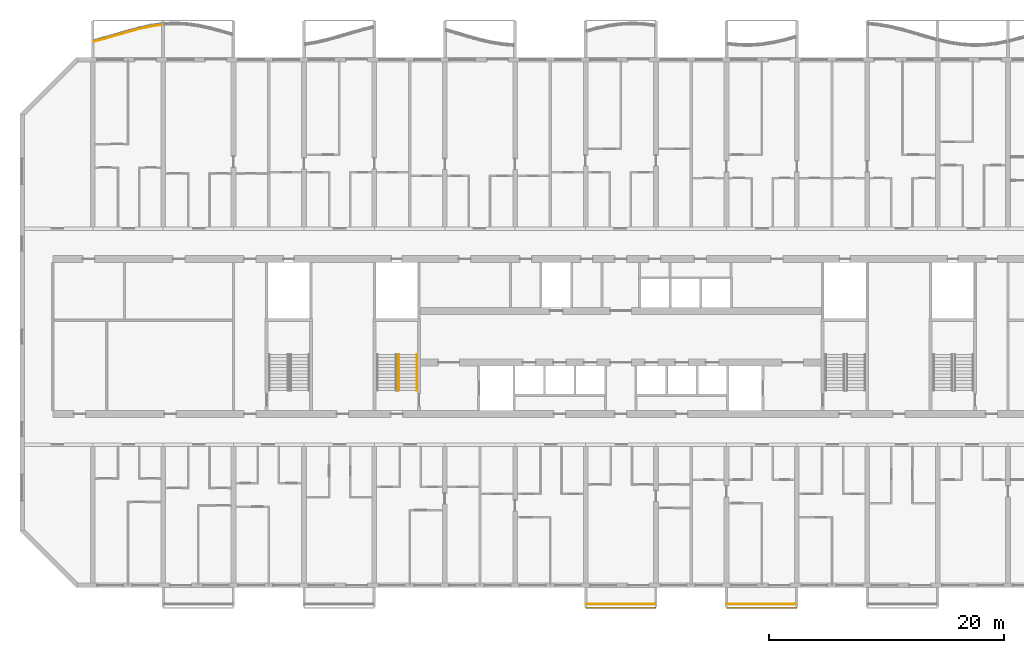
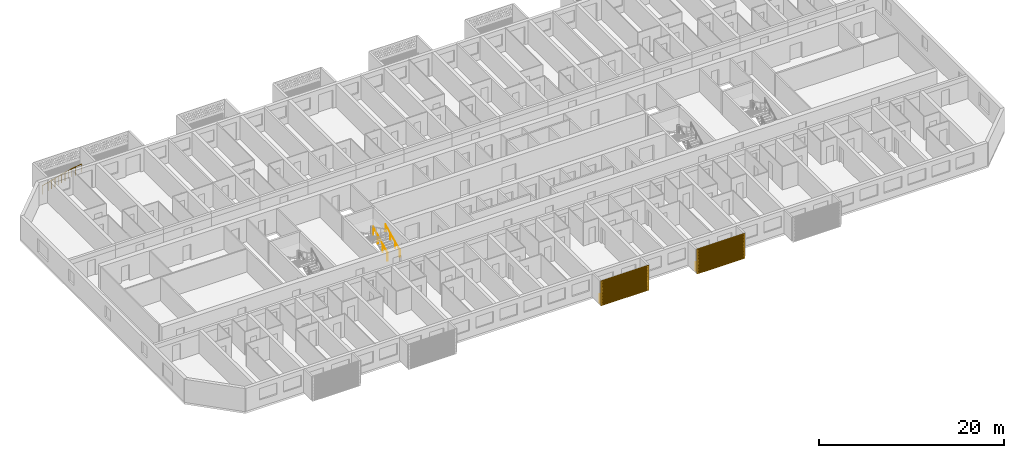
# One storey, part 20 of 40: 5 railings, 2 shading devices.
"""IFC4 building model written with IfcOpenShell, lengths in metres."""

import ifcopenshell
import ifcopenshell.guid

model = None  # the IFC model being written
_history = None  # IfcOwnerHistory: only IFC2X3 demands one
_inside = {}  # id of a spatial element -> (the spatial element, [elements in it])
_under = {}  # id of a project, library or spatial element -> (it, [spatial elements below it])
_declared = {}  # id of a project -> (the project, [libraries it declares])
_typed = {}  # id of a type object -> (the type object, [elements of that type])
_made_of = {}  # id of a material, layer set ... -> (it, [elements and type objects made of it])


def new_model(schema):
    """Start an empty IFC model of exactly this schema.

    Asked for "IFC4X3", IfcOpenShell would pick the latest addendum, in which some entities
    have other attributes; the version numbers below select the first issue.
    IFC2X3 requires an IfcOwnerHistory on every rooted entity: one is made here for all.
    """
    global model, _history
    if schema == "IFC4X3":
        model = ifcopenshell.file(schema_version=(4, 3, 0, 0))
    else:
        model = ifcopenshell.file(schema=schema)
    _inside.clear()
    _under.clear()
    _declared.clear()
    _typed.clear()
    _made_of.clear()
    _history = None
    if model.schema == "IFC2X3":
        org = make("IfcOrganization", Name="unknown")
        user = make(
            "IfcPersonAndOrganization",
            ThePerson=make("IfcPerson", FamilyName="unknown"),
            TheOrganization=org,
        )
        app = make(
            "IfcApplication",
            ApplicationDeveloper=org,
            Version="unknown",
            ApplicationFullName="unknown",
            ApplicationIdentifier="unknown",
        )
        _history = make(
            "IfcOwnerHistory",
            OwningUser=user,
            OwningApplication=app,
            ChangeAction="ADDED",
            CreationDate=0,
        )
    return model


def make(cls, **values):
    """One entity of the class cls with the attributes given. An attribute that is None is left unset."""
    return model.create_entity(
        cls, **{name: value for name, value in values.items() if value is not None}
    )


def rooted(cls, **values):
    """An entity with a GlobalId (a new one), such as an element, a storey or a relation."""
    return make(cls, GlobalId=ifcopenshell.guid.new(), OwnerHistory=_history, **values)


def si_unit(unit_type, name, prefix=None):
    """IfcSIUnit, for example si_unit("LENGTHUNIT", "METRE", prefix="MILLI")."""
    return make("IfcSIUnit", UnitType=unit_type, Prefix=prefix, Name=name)


def assignment(units):
    """IfcUnitAssignment: the units of a project."""
    return None if units is None else make("IfcUnitAssignment", Units=units)


def point(xyz):
    """IfcCartesianPoint."""
    return None if xyz is None else make("IfcCartesianPoint", Coordinates=xyz)


def direction(xyz):
    """IfcDirection."""
    return None if xyz is None else make("IfcDirection", DirectionRatios=xyz)


def frame(location, z_axis=None, x_axis=None):
    """IfcAxis2Placement3D, a coordinate frame: its origin and axes. An axis left out is left unset."""
    return make(
        "IfcAxis2Placement3D",
        Location=point(location),
        Axis=direction(z_axis),
        RefDirection=direction(x_axis),
    )


def frame_2d(location, x_axis=None):
    """IfcAxis2Placement2D, a coordinate frame in the plane: its origin and x axis."""
    return make(
        "IfcAxis2Placement2D", Location=point(location), RefDirection=direction(x_axis)
    )


def origin():
    """The frame at (0, 0, 0) with its axes left unset."""
    return frame((0.0, 0.0, 0.0))


def origin_2d():
    """The frame at (0, 0) in the plane with its x axis left unset."""
    return frame_2d((0.0, 0.0))


def place(relative_to, where):
    """IfcLocalPlacement: puts the frame where relative to a parent placement (None: the world)."""
    return make(
        "IfcLocalPlacement", PlacementRelTo=relative_to, RelativePlacement=where
    )


def context(
    kind, dimensions, precision=None, world=None, true_north=None, identifier=None
):
    """IfcGeometricRepresentationContext, for example the 3D "Model" context."""
    return make(
        "IfcGeometricRepresentationContext",
        ContextIdentifier=identifier,
        ContextType=kind,
        CoordinateSpaceDimension=dimensions,
        Precision=precision,
        WorldCoordinateSystem=world,
        TrueNorth=true_north,
    )


def subcontext(parent, identifier, kind, view, scale=None):
    """IfcGeometricRepresentationSubContext, for example "Body" below "Model"."""
    return make(
        "IfcGeometricRepresentationSubContext",
        ContextIdentifier=identifier,
        ContextType=kind,
        ParentContext=parent,
        TargetScale=scale,
        TargetView=view,
    )


def project(units=None, contexts=None):
    """IfcProject with its units and contexts."""
    return rooted(
        "IfcProject",
        Name="project",
        RepresentationContexts=contexts,
        UnitsInContext=assignment(units),
    )


def spatial(cls, under=None, at=None, **own):
    """A site, building, storey or space (cls), placed at a placement, below another one or the project."""
    s = rooted(cls, ObjectPlacement=at, **own)
    if under is not None:
        _under.setdefault(under.id(), (under, []))[1].append(s)
    return s


def polyline(points):
    """IfcPolyline through the points."""
    return make("IfcPolyline", Points=[point(p) for p in points])


def profile(cls, at=None, kind="AREA", **sizes):
    """A parametric profile (cls). Its sizes go by their IFC names, for example OverallWidth=200.0."""
    return make(cls, ProfileType=kind, Position=at, **sizes)


def circle(**sizes):
    """IfcCircleProfileDef."""
    return profile("IfcCircleProfileDef", **sizes)


def outline(outer, holes=None, kind="AREA"):
    """IfcArbitraryClosedProfileDef: a profile drawn as a closed curve; with holes, ...WithVoids."""
    if holes is None:
        return make("IfcArbitraryClosedProfileDef", ProfileType=kind, OuterCurve=outer)
    return make(
        "IfcArbitraryProfileDefWithVoids",
        ProfileType=kind,
        OuterCurve=outer,
        InnerCurves=holes,
    )


def extrude(swept, where, along, depth):
    """IfcExtrudedAreaSolid: the profile swept, set in the frame where, extruded along a direction by depth."""
    return make(
        "IfcExtrudedAreaSolid",
        SweptArea=swept,
        Position=where,
        ExtrudedDirection=direction(along),
        Depth=depth,
    )


def shape(context_of_items, identifier, shape_type, items):
    """IfcShapeRepresentation: the items that make up one representation, for example the "Body"."""
    return make(
        "IfcShapeRepresentation",
        ContextOfItems=context_of_items,
        RepresentationIdentifier=identifier,
        RepresentationType=shape_type,
        Items=items,
    )


def source(mapping_origin, context_of_items, identifier, shape_type, items):
    """IfcRepresentationMap: a shape defined once, which mapped items show again and again."""
    return make(
        "IfcRepresentationMap",
        MappingOrigin=mapping_origin,
        MappedRepresentation=shape(context_of_items, identifier, shape_type, items),
    )


def transform(
    local_origin,
    x_axis=None,
    y_axis=None,
    z_axis=None,
    scale=None,
    scale2=None,
    scale3=None,
    uniform=True,
):
    """IfcCartesianTransformationOperator3D, or its non-uniform kind. x_axis, y_axis, z_axis: its Axis1, 2, 3."""
    if uniform:
        return make(
            "IfcCartesianTransformationOperator3D",
            Axis1=direction(x_axis),
            Axis2=direction(y_axis),
            LocalOrigin=point(local_origin),
            Scale=scale,
            Axis3=direction(z_axis),
        )
    return make(
        "IfcCartesianTransformationOperator3DnonUniform",
        Axis1=direction(x_axis),
        Axis2=direction(y_axis),
        LocalOrigin=point(local_origin),
        Scale=scale,
        Axis3=direction(z_axis),
        Scale2=scale2,
        Scale3=scale3,
    )


def mapped(mapping_source, mapping_target):
    """IfcMappedItem: shows the shape of a source again, moved by a transform."""
    return make(
        "IfcMappedItem", MappingSource=mapping_source, MappingTarget=mapping_target
    )


def material(Name=None, Category=None):
    """IfcMaterial."""
    return make("IfcMaterial", Name=Name, Category=Category)


def material_profile(
    of_material, cross_section, Name=None, Category=None, Priority=None
):
    """IfcMaterialProfile: a cross section and its material."""
    return make(
        "IfcMaterialProfile",
        Name=Name,
        Material=of_material,
        Profile=cross_section,
        Priority=Priority,
        Category=Category,
    )


def profile_set(profiles, Name=None, composite=None):
    """IfcMaterialProfileSet."""
    return make(
        "IfcMaterialProfileSet",
        Name=Name,
        MaterialProfiles=profiles,
        CompositeProfile=composite,
    )


def made_of(thing, what):
    """Note that an element or type object is made of a material, layer set ...; save() writes the relation."""
    if what is not None:
        _made_of.setdefault(what.id(), (what, []))[1].append(thing)
    return thing


def type_object(cls, material=None, **own):
    """A type object (cls), such as IfcWallType, which elements share."""
    return made_of(rooted(cls, **own), material)


def element(
    cls,
    number,
    at=None,
    inside=None,
    cuts=None,
    type_object=None,
    material=None,
    context=None,
    identifier="Body",
    shape_type=None,
    held_by="IfcProductDefinitionShape",
    body=None,
    shapes=None,
    **own,
):
    """One element of the class cls, such as IfcWall. Its Tag is "e" and its number.

    at: its placement. inside: the storey or other place that contains it. cuts: it is an
    opening in that element (IfcRelVoidsElement). A single representation is given by context,
    identifier, shape_type and body (its items); several are given by shapes. held_by: the class
    of the entity that holds the representations. save() writes the other relations.
    """
    e = rooted(cls, Tag="e%d" % number, ObjectPlacement=at, **own)
    if body is not None:
        shapes = [shape(context, identifier, shape_type, body)]
    if shapes is not None:
        e.Representation = make(held_by, Representations=shapes)
    if inside is not None:
        _inside.setdefault(inside.id(), (inside, []))[1].append(e)
    if cuts is not None:
        rooted(
            "IfcRelVoidsElement", RelatingBuildingElement=cuts, RelatedOpeningElement=e
        )
    if type_object is not None:
        _typed.setdefault(type_object.id(), (type_object, []))[1].append(e)
    return made_of(e, material)


def aggregate(whole, parts):
    """IfcRelAggregates: a whole, such as a stair, and the parts it consists of."""
    return rooted("IfcRelAggregates", RelatingObject=whole, RelatedObjects=parts)


def save(model, path):
    """Write the relations noted so far, then the file.

    IfcRelAggregates (storeys below a building ...), IfcRelContainedInSpatialStructure (elements
    in a storey), IfcRelDefinesByType, IfcRelAssociatesMaterial and IfcRelDeclares: one each for
    every whole, place, type object, material and project.
    """
    for whole, parts in _under.values():
        aggregate(whole, parts)
    for where, things in _inside.values():
        rooted(
            "IfcRelContainedInSpatialStructure",
            RelatedElements=things,
            RelatingStructure=where,
        )
    for kind, things in _typed.values():
        rooted("IfcRelDefinesByType", RelatedObjects=things, RelatingType=kind)
    for what, things in _made_of.values():
        rooted("IfcRelAssociatesMaterial", RelatedObjects=things, RelatingMaterial=what)
    for by, libraries in _declared.values():
        rooted("IfcRelDeclares", RelatingContext=by, RelatedDefinitions=libraries)
    model.write(path)


model = new_model("IFC4")

# Units and contexts
model_context = context("Model", 3, precision=1e-05, world=origin(), true_north=direction((0.0, 1.0)))
body_context = subcontext(model_context, "Body", "Model", "MODEL_VIEW")
ifc_project = project(units=[si_unit("LENGTHUNIT", "METRE"), si_unit("AREAUNIT", "SQUARE_METRE"), si_unit("VOLUMEUNIT", "CUBIC_METRE"), si_unit("PLANEANGLEUNIT", "RADIAN"), si_unit("MASSUNIT", "GRAM", prefix="KILO")], contexts=[model_context])

# Site, building, storey
site_placement = place(None, origin())
site = spatial("IfcSite", under=ifc_project, at=site_placement, CompositionType="ELEMENT")
building_placement = place(site_placement, origin())
building = spatial("IfcBuilding", under=site, at=building_placement, Name="Poui Terraces", CompositionType="ELEMENT")
storey_placement = place(building_placement, frame((0.0, 0.0, 33.300048828125)))
storey = spatial("IfcBuildingStorey", under=building, at=storey_placement, Name="L08", CompositionType="ELEMENT", Elevation=33.300048828125)

# Railings
ifc_material_1 = material(Name="Painted steel fretwork", Category="steel")
railing_type_1 = type_object("IfcRailingType", Name="BALCONY GUARD 1100", PredefinedType="GUARDRAIL", material=ifc_material_1)
railing_1_placement = place(storey_placement, frame((6.125, 46.33935546875, 0.0)))
element("IfcRailing", 1, at=railing_1_placement, inside=storey, type_object=railing_type_1, Name="BALCONY GUARD", PredefinedType="GUARDRAIL", context=body_context, shape_type="SweptSolid", body=[
    extrude(circle(Radius=0.02392578125, at=origin_2d()), frame((0.0, 0.0, 1.076171875), z_axis=(0.967811983713, 0.251674321657, 0.0), x_axis=(-0.251674321657, 0.967811983713, 0.0)), (0.0, 0.0, 1.0), 0.904052734375),
    extrude(circle(Radius=0.02392578125, at=origin_2d()), frame((0.875, 0.2275390625, 1.076171875), z_axis=(0.960167856514, 0.279423848868, 0.0), x_axis=(-0.279423848868, 0.960167856514, 0.0)), (0.0, 0.0, 1.0), 1.04150390625),
    extrude(circle(Radius=0.02392578125, at=origin_2d()), frame((1.875, 0.5185546875, 1.076171875), z_axis=(0.959283416412, 0.282445263719, 0.0), x_axis=(-0.282445263719, 0.959283416412, 0.0)), (0.0, 0.0, 1.0), 1.04248046875),
    extrude(circle(Radius=0.02392578125, at=origin_2d()), frame((2.875, 0.81298828125, 1.076171875), z_axis=(0.965897516379, 0.258924676022, 0.0), x_axis=(-0.258924676022, 0.965897516379, 0.0)), (0.0, 0.0, 1.0), 1.035400390625),
    extrude(circle(Radius=0.02392578125, at=origin_2d()), frame((3.875, 1.0810546875, 1.076171875), z_axis=(0.977837336556, 0.20936605082, 0.0), x_axis=(-0.20936605082, 0.977837336556, 0.0)), (0.0, 0.0, 1.0), 1.022705078125),
    extrude(circle(Radius=0.02392578125, at=origin_2d()), frame((4.875, 1.295166015625, 1.076171875), z_axis=(0.9898720119, 0.14196267135, 0.0), x_axis=(-0.14196267135, 0.9898720119, 0.0)), (0.0, 0.0, 1.0), 0.884033203125),
    extrude(circle(Radius=0.02099609375, at=origin_2d()), origin(), (0.0, 0.0, 1.0), 1.052001953125),
    extrude(circle(Radius=0.02099609375, at=origin_2d()), frame((0.875, 0.2275390625, 0.0)), (0.0, 0.0, 1.0), 1.052001953125),
    extrude(circle(Radius=0.02099609375, at=origin_2d()), frame((1.375, 0.373046875, 0.0)), (0.0, 0.0, 1.0), 1.052001953125),
    extrude(circle(Radius=0.02099609375, at=origin_2d()), frame((1.875, 0.5185546875, 0.0)), (0.0, 0.0, 1.0), 1.052001953125),
    extrude(circle(Radius=0.02099609375, at=origin_2d()), frame((2.375, 0.665771484375, 0.0)), (0.0, 0.0, 1.0), 1.052001953125),
    extrude(circle(Radius=0.02099609375, at=origin_2d()), frame((2.875, 0.81298828125, 0.0)), (0.0, 0.0, 1.0), 1.052001953125),
    extrude(circle(Radius=0.02099609375, at=origin_2d()), frame((3.375, 0.947021484375, 0.0)), (0.0, 0.0, 1.0), 1.052001953125),
    extrude(circle(Radius=0.02099609375, at=origin_2d()), frame((3.875, 1.0810546875, 0.0)), (0.0, 0.0, 1.0), 1.052001953125),
    extrude(circle(Radius=0.02099609375, at=origin_2d()), frame((4.375, 1.18798828125, 0.0)), (0.0, 0.0, 1.0), 1.052001953125),
    extrude(circle(Radius=0.02099609375, at=origin_2d()), frame((4.875, 1.295166015625, 0.0)), (0.0, 0.0, 1.0), 1.052001953125),
    extrude(circle(Radius=0.02099609375, at=origin_2d()), frame((5.75, 1.420654296875, 0.0)), (0.0, 0.0, 1.0), 1.052001953125),
])
for number, where, name in (
    (2, (48.10009765625, -1.570068359375, 0.0), "BALCONY GUARD"),
    (3, (60.10009765625, -1.570068359375, 0.0), "BALCONY GUARD"),
):
    element("IfcRailing", number, at=place(storey_placement, frame(where)), inside=storey, type_object=railing_type_1, Name=name, PredefinedType="GUARDRAIL", context=body_context, shape_type="SweptSolid", body=[
        extrude(circle(Radius=0.02392578125, at=origin_2d()), frame((0.0, 0.0, 1.076171875), z_axis=(1.0, 0.0, 0.0), x_axis=(0.0, 1.0, 0.0)), (0.0, 0.0, 1.0), 5.7998046875),
        extrude(circle(Radius=0.02099609375, at=origin_2d()), origin(), (0.0, 0.0, 1.0), 1.052001953125),
        extrude(circle(Radius=0.02099609375, at=origin_2d()), frame((0.966552734375, 0.0, 0.0)), (0.0, 0.0, 1.0), 1.052001953125),
        extrude(circle(Radius=0.02099609375, at=origin_2d()), frame((1.933349609375, 0.0, 0.0)), (0.0, 0.0, 1.0), 1.052001953125),
        extrude(circle(Radius=0.02099609375, at=origin_2d()), frame((2.89990234375, 0.0, 0.0)), (0.0, 0.0, 1.0), 1.052001953125),
        extrude(circle(Radius=0.02099609375, at=origin_2d()), frame((3.866455078125, 0.0, 0.0)), (0.0, 0.0, 1.0), 1.052001953125),
        extrude(circle(Radius=0.02099609375, at=origin_2d()), frame((4.833251953125, 0.0, 0.0)), (0.0, 0.0, 1.0), 1.052001953125),
        extrude(circle(Radius=0.02099609375, at=origin_2d()), frame((5.7998046875, 0.0, 0.0)), (0.0, 0.0, 1.0), 1.052001953125),
    ])
ifc_material_2 = material(Name="Galvanised steel balustrade", Category="steel")
railing_type_2 = type_object("IfcRailingType", Name="STAIR GUARD 1100", PredefinedType="GUARDRAIL", material=ifc_material_2)
railing_2_placement = place(storey_placement, frame((32.074951171875, 16.60009765625, 0.137451171875)))
element("IfcRailing", 4, at=railing_2_placement, inside=storey, type_object=railing_type_2, Name="L08 ST-CW stair guard 1", PredefinedType="GUARDRAIL", context=body_context, shape_type="SweptSolid", body=[
    extrude(circle(Radius=0.02392578125, at=origin_2d()), frame((0.0, 0.0, 1.076171875), z_axis=(0.0, 0.897606190399, 0.440798283751), x_axis=(-1.0, 0.0, 0.0)), (0.0, 0.0, 1.0), 3.43115234375),
    extrude(circle(Radius=0.02099609375, at=origin_2d()), origin(), (0.0, 0.0, 1.0), 1.052001953125),
    extrude(circle(Radius=0.02099609375, at=origin_2d()), frame((0.0, 1.026611328125, 0.504150390625)), (0.0, 0.0, 1.0), 1.052001953125),
    extrude(circle(Radius=0.02099609375, at=origin_2d()), frame((0.0, 2.05322265625, 1.00830078125)), (0.0, 0.0, 1.0), 1.052001953125),
    extrude(circle(Radius=0.02099609375, at=origin_2d()), frame((0.0, 3.079833984375, 1.512451171875)), (0.0, 0.0, 1.0), 1.052001953125),
])
ifc_material_3 = material(Name="Stainless steel handrail", Category="steel")
railing_type_3 = type_object("IfcRailingType", Name="STAIR HANDRAIL 900", PredefinedType="HANDRAIL", material=ifc_material_3)
railing_3_placement = place(storey_placement, frame((33.625, 16.60009765625, 0.137451171875)))
element("IfcRailing", 5, at=railing_3_placement, inside=storey, type_object=railing_type_3, Name="L08 ST-CW stair handrail 1", PredefinedType="HANDRAIL", context=body_context, shape_type="SweptSolid", body=[
    extrude(circle(Radius=0.02392578125, at=origin_2d()), frame((0.0, 0.0, 0.8759765625), z_axis=(0.0, 0.897606190399, 0.440798283751), x_axis=(-1.0, 0.0, 0.0)), (0.0, 0.0, 1.0), 3.43115234375),
    extrude(circle(Radius=0.02099609375, at=origin_2d()), origin(), (0.0, 0.0, 1.0), 0.851806640625),
    extrude(circle(Radius=0.02099609375, at=origin_2d()), frame((0.0, 1.026611328125, 0.504150390625)), (0.0, 0.0, 1.0), 0.851806640625),
    extrude(circle(Radius=0.02099609375, at=origin_2d()), frame((0.0, 2.05322265625, 1.00830078125)), (0.0, 0.0, 1.0), 0.851806640625),
    extrude(circle(Radius=0.02099609375, at=origin_2d()), frame((0.0, 3.079833984375, 1.512451171875)), (0.0, 0.0, 1.0), 0.851806640625),
])

# Shading devices
ifc_material_4 = material(Name="Aluminium louvre", Category="aluminium")
ifc_material_profile = material_profile(ifc_material_4, outline(polyline([(-3.0, -1.64990234375), (3.0, -1.64990234375), (3.0, 1.64990234375), (-3.0, 1.64990234375), (-3.0, -1.64990234375)]), holes=[polyline([(-2.800048828125, -1.530029296875), (2.800048828125, -1.530029296875), (2.800048828125, -1.469970703125), (-2.800048828125, -1.469970703125), (-2.800048828125, -1.530029296875)]), polyline([(-2.800048828125, -1.429931640625), (2.800048828125, -1.429931640625), (2.800048828125, -1.3701171875), (-2.800048828125, -1.3701171875), (-2.800048828125, -1.429931640625)]), polyline([(-2.800048828125, -1.330078125), (2.800048828125, -1.330078125), (2.800048828125, -1.27001953125), (-2.800048828125, -1.27001953125), (-2.800048828125, -1.330078125)]), polyline([(-2.800048828125, -1.22998046875), (2.800048828125, -1.22998046875), (2.800048828125, -1.169921875), (-2.800048828125, -1.169921875), (-2.800048828125, -1.22998046875)]), polyline([(-2.800048828125, -1.1298828125), (2.800048828125, -1.1298828125), (2.800048828125, -1.070068359375), (-2.800048828125, -1.070068359375), (-2.800048828125, -1.1298828125)]), polyline([(-2.800048828125, -1.030029296875), (2.800048828125, -1.030029296875), (2.800048828125, -0.969970703125), (-2.800048828125, -0.969970703125), (-2.800048828125, -1.030029296875)]), polyline([(-2.800048828125, -0.929931640625), (2.800048828125, -0.929931640625), (2.800048828125, -0.8701171875), (-2.800048828125, -0.8701171875), (-2.800048828125, -0.929931640625)]), polyline([(-2.800048828125, -0.830078125), (2.800048828125, -0.830078125), (2.800048828125, -0.77001953125), (-2.800048828125, -0.77001953125), (-2.800048828125, -0.830078125)]), polyline([(-2.800048828125, -0.72998046875), (2.800048828125, -0.72998046875), (2.800048828125, -0.669921875), (-2.800048828125, -0.669921875), (-2.800048828125, -0.72998046875)]), polyline([(-2.800048828125, -0.6298828125), (2.800048828125, -0.6298828125), (2.800048828125, -0.570068359375), (-2.800048828125, -0.570068359375), (-2.800048828125, -0.6298828125)]), polyline([(-2.800048828125, -0.530029296875), (2.800048828125, -0.530029296875), (2.800048828125, -0.469970703125), (-2.800048828125, -0.469970703125), (-2.800048828125, -0.530029296875)]), polyline([(-2.800048828125, -0.429931640625), (2.800048828125, -0.429931640625), (2.800048828125, -0.3701171875), (-2.800048828125, -0.3701171875), (-2.800048828125, -0.429931640625)]), polyline([(-2.800048828125, -0.330078125), (2.800048828125, -0.330078125), (2.800048828125, -0.27001953125), (-2.800048828125, -0.27001953125), (-2.800048828125, -0.330078125)]), polyline([(-2.800048828125, -0.22998046875), (2.800048828125, -0.22998046875), (2.800048828125, -0.169921875), (-2.800048828125, -0.169921875), (-2.800048828125, -0.22998046875)]), polyline([(-2.800048828125, -0.1298828125), (2.800048828125, -0.1298828125), (2.800048828125, -0.070068359375), (-2.800048828125, -0.070068359375), (-2.800048828125, -0.1298828125)]), polyline([(-2.800048828125, -0.030029296875), (2.800048828125, -0.030029296875), (2.800048828125, 0.030029296875), (-2.800048828125, 0.030029296875), (-2.800048828125, -0.030029296875)]), polyline([(-2.800048828125, 0.070068359375), (2.800048828125, 0.070068359375), (2.800048828125, 0.1298828125), (-2.800048828125, 0.1298828125), (-2.800048828125, 0.070068359375)]), polyline([(-2.800048828125, 0.169921875), (2.800048828125, 0.169921875), (2.800048828125, 0.22998046875), (-2.800048828125, 0.22998046875), (-2.800048828125, 0.169921875)]), polyline([(-2.800048828125, 0.27001953125), (2.800048828125, 0.27001953125), (2.800048828125, 0.330078125), (-2.800048828125, 0.330078125), (-2.800048828125, 0.27001953125)]), polyline([(-2.800048828125, 0.3701171875), (2.800048828125, 0.3701171875), (2.800048828125, 0.429931640625), (-2.800048828125, 0.429931640625), (-2.800048828125, 0.3701171875)]), polyline([(-2.800048828125, 0.469970703125), (2.800048828125, 0.469970703125), (2.800048828125, 0.530029296875), (-2.800048828125, 0.530029296875), (-2.800048828125, 0.469970703125)]), polyline([(-2.800048828125, 0.570068359375), (2.800048828125, 0.570068359375), (2.800048828125, 0.6298828125), (-2.800048828125, 0.6298828125), (-2.800048828125, 0.570068359375)]), polyline([(-2.800048828125, 0.669921875), (2.800048828125, 0.669921875), (2.800048828125, 0.72998046875), (-2.800048828125, 0.72998046875), (-2.800048828125, 0.669921875)]), polyline([(-2.800048828125, 0.77001953125), (2.800048828125, 0.77001953125), (2.800048828125, 0.830078125), (-2.800048828125, 0.830078125), (-2.800048828125, 0.77001953125)]), polyline([(-2.800048828125, 0.8701171875), (2.800048828125, 0.8701171875), (2.800048828125, 0.929931640625), (-2.800048828125, 0.929931640625), (-2.800048828125, 0.8701171875)]), polyline([(-2.800048828125, 0.969970703125), (2.800048828125, 0.969970703125), (2.800048828125, 1.030029296875), (-2.800048828125, 1.030029296875), (-2.800048828125, 0.969970703125)]), polyline([(-2.800048828125, 1.070068359375), (2.800048828125, 1.070068359375), (2.800048828125, 1.1298828125), (-2.800048828125, 1.1298828125), (-2.800048828125, 1.070068359375)]), polyline([(-2.800048828125, 1.169921875), (2.800048828125, 1.169921875), (2.800048828125, 1.22998046875), (-2.800048828125, 1.22998046875), (-2.800048828125, 1.169921875)]), polyline([(-2.800048828125, 1.27001953125), (2.800048828125, 1.27001953125), (2.800048828125, 1.330078125), (-2.800048828125, 1.330078125), (-2.800048828125, 1.27001953125)]), polyline([(-2.800048828125, 1.3701171875), (2.800048828125, 1.3701171875), (2.800048828125, 1.429931640625), (-2.800048828125, 1.429931640625), (-2.800048828125, 1.3701171875)]), polyline([(-2.800048828125, 1.469970703125), (2.800048828125, 1.469970703125), (2.800048828125, 1.530029296875), (-2.800048828125, 1.530029296875), (-2.800048828125, 1.469970703125)])]), Name="JALOUSIE LOUVRE SHUTTER 6000X3300")
ifc_profile_set = profile_set([ifc_material_profile], Name="Aluminium louvre")
shading_device_type = type_object("IfcShadingDeviceType", Name="JALOUSIE LOUVRE SHUTTER 6000X3300", PredefinedType="JALOUSIE", material=ifc_profile_set)
shared_shape = source(origin(), body_context, "Body", "SweptSolid", [
    extrude(outline(polyline([(-3.0, -1.64990234375), (3.0, -1.64990234375), (3.0, 1.64990234375), (-3.0, 1.64990234375), (-3.0, -1.64990234375)]), holes=[polyline([(-2.800048828125, -1.530029296875), (2.800048828125, -1.530029296875), (2.800048828125, -1.469970703125), (-2.800048828125, -1.469970703125), (-2.800048828125, -1.530029296875)]), polyline([(-2.800048828125, -1.429931640625), (2.800048828125, -1.429931640625), (2.800048828125, -1.3701171875), (-2.800048828125, -1.3701171875), (-2.800048828125, -1.429931640625)]), polyline([(-2.800048828125, -1.330078125), (2.800048828125, -1.330078125), (2.800048828125, -1.27001953125), (-2.800048828125, -1.27001953125), (-2.800048828125, -1.330078125)]), polyline([(-2.800048828125, -1.22998046875), (2.800048828125, -1.22998046875), (2.800048828125, -1.169921875), (-2.800048828125, -1.169921875), (-2.800048828125, -1.22998046875)]), polyline([(-2.800048828125, -1.1298828125), (2.800048828125, -1.1298828125), (2.800048828125, -1.070068359375), (-2.800048828125, -1.070068359375), (-2.800048828125, -1.1298828125)]), polyline([(-2.800048828125, -1.030029296875), (2.800048828125, -1.030029296875), (2.800048828125, -0.969970703125), (-2.800048828125, -0.969970703125), (-2.800048828125, -1.030029296875)]), polyline([(-2.800048828125, -0.929931640625), (2.800048828125, -0.929931640625), (2.800048828125, -0.8701171875), (-2.800048828125, -0.8701171875), (-2.800048828125, -0.929931640625)]), polyline([(-2.800048828125, -0.830078125), (2.800048828125, -0.830078125), (2.800048828125, -0.77001953125), (-2.800048828125, -0.77001953125), (-2.800048828125, -0.830078125)]), polyline([(-2.800048828125, -0.72998046875), (2.800048828125, -0.72998046875), (2.800048828125, -0.669921875), (-2.800048828125, -0.669921875), (-2.800048828125, -0.72998046875)]), polyline([(-2.800048828125, -0.6298828125), (2.800048828125, -0.6298828125), (2.800048828125, -0.570068359375), (-2.800048828125, -0.570068359375), (-2.800048828125, -0.6298828125)]), polyline([(-2.800048828125, -0.530029296875), (2.800048828125, -0.530029296875), (2.800048828125, -0.469970703125), (-2.800048828125, -0.469970703125), (-2.800048828125, -0.530029296875)]), polyline([(-2.800048828125, -0.429931640625), (2.800048828125, -0.429931640625), (2.800048828125, -0.3701171875), (-2.800048828125, -0.3701171875), (-2.800048828125, -0.429931640625)]), polyline([(-2.800048828125, -0.330078125), (2.800048828125, -0.330078125), (2.800048828125, -0.27001953125), (-2.800048828125, -0.27001953125), (-2.800048828125, -0.330078125)]), polyline([(-2.800048828125, -0.22998046875), (2.800048828125, -0.22998046875), (2.800048828125, -0.169921875), (-2.800048828125, -0.169921875), (-2.800048828125, -0.22998046875)]), polyline([(-2.800048828125, -0.1298828125), (2.800048828125, -0.1298828125), (2.800048828125, -0.070068359375), (-2.800048828125, -0.070068359375), (-2.800048828125, -0.1298828125)]), polyline([(-2.800048828125, -0.030029296875), (2.800048828125, -0.030029296875), (2.800048828125, 0.030029296875), (-2.800048828125, 0.030029296875), (-2.800048828125, -0.030029296875)]), polyline([(-2.800048828125, 0.070068359375), (2.800048828125, 0.070068359375), (2.800048828125, 0.1298828125), (-2.800048828125, 0.1298828125), (-2.800048828125, 0.070068359375)]), polyline([(-2.800048828125, 0.169921875), (2.800048828125, 0.169921875), (2.800048828125, 0.22998046875), (-2.800048828125, 0.22998046875), (-2.800048828125, 0.169921875)]), polyline([(-2.800048828125, 0.27001953125), (2.800048828125, 0.27001953125), (2.800048828125, 0.330078125), (-2.800048828125, 0.330078125), (-2.800048828125, 0.27001953125)]), polyline([(-2.800048828125, 0.3701171875), (2.800048828125, 0.3701171875), (2.800048828125, 0.429931640625), (-2.800048828125, 0.429931640625), (-2.800048828125, 0.3701171875)]), polyline([(-2.800048828125, 0.469970703125), (2.800048828125, 0.469970703125), (2.800048828125, 0.530029296875), (-2.800048828125, 0.530029296875), (-2.800048828125, 0.469970703125)]), polyline([(-2.800048828125, 0.570068359375), (2.800048828125, 0.570068359375), (2.800048828125, 0.6298828125), (-2.800048828125, 0.6298828125), (-2.800048828125, 0.570068359375)]), polyline([(-2.800048828125, 0.669921875), (2.800048828125, 0.669921875), (2.800048828125, 0.72998046875), (-2.800048828125, 0.72998046875), (-2.800048828125, 0.669921875)]), polyline([(-2.800048828125, 0.77001953125), (2.800048828125, 0.77001953125), (2.800048828125, 0.830078125), (-2.800048828125, 0.830078125), (-2.800048828125, 0.77001953125)]), polyline([(-2.800048828125, 0.8701171875), (2.800048828125, 0.8701171875), (2.800048828125, 0.929931640625), (-2.800048828125, 0.929931640625), (-2.800048828125, 0.8701171875)]), polyline([(-2.800048828125, 0.969970703125), (2.800048828125, 0.969970703125), (2.800048828125, 1.030029296875), (-2.800048828125, 1.030029296875), (-2.800048828125, 0.969970703125)]), polyline([(-2.800048828125, 1.070068359375), (2.800048828125, 1.070068359375), (2.800048828125, 1.1298828125), (-2.800048828125, 1.1298828125), (-2.800048828125, 1.070068359375)]), polyline([(-2.800048828125, 1.169921875), (2.800048828125, 1.169921875), (2.800048828125, 1.22998046875), (-2.800048828125, 1.22998046875), (-2.800048828125, 1.169921875)]), polyline([(-2.800048828125, 1.27001953125), (2.800048828125, 1.27001953125), (2.800048828125, 1.330078125), (-2.800048828125, 1.330078125), (-2.800048828125, 1.27001953125)]), polyline([(-2.800048828125, 1.3701171875), (2.800048828125, 1.3701171875), (2.800048828125, 1.429931640625), (-2.800048828125, 1.429931640625), (-2.800048828125, 1.3701171875)]), polyline([(-2.800048828125, 1.469970703125), (2.800048828125, 1.469970703125), (2.800048828125, 1.530029296875), (-2.800048828125, 1.530029296875), (-2.800048828125, 1.469970703125)])]), origin(), (0.0, 0.0, 1.0), 0.099853515625),
])
for number, where, z_axis, x_axis, name in (
    (6, (51.0, -1.85009765625, 1.449951171875), (0.0, -1.0, 0.0), (1.0, 0.0, 0.0), "JALOUSIE LOUVRE SHUTTER"),
    (7, (63.0, -1.85009765625, 1.449951171875), (0.0, -1.0, 0.0), (1.0, 0.0, 0.0), "JALOUSIE LOUVRE SHUTTER"),
):
    element("IfcShadingDevice", number, at=place(storey_placement, frame(where, z_axis=z_axis, x_axis=x_axis)), inside=storey, type_object=shading_device_type, Name=name, PredefinedType="JALOUSIE", context=body_context, shape_type="MappedRepresentation", body=[
        mapped(shared_shape, transform((0.0, 0.0, 0.0))),
    ])

save(model, "model.ifc")
